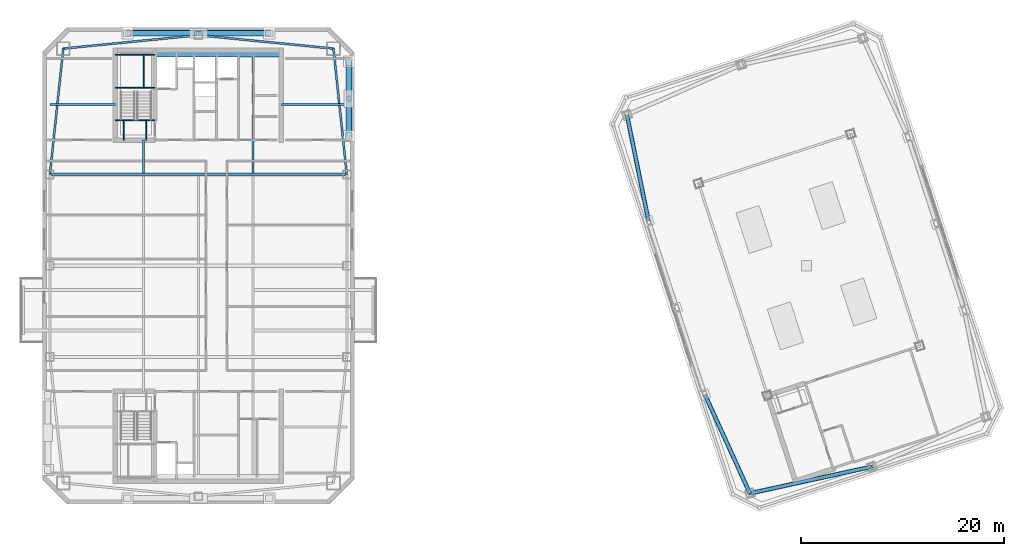
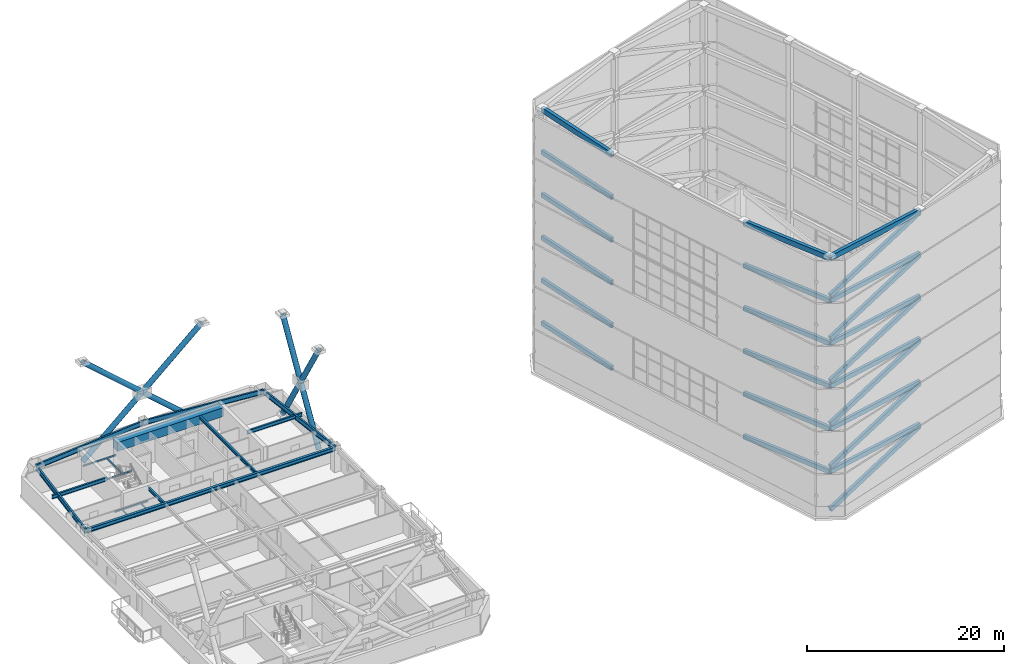
# One storey, part 13 of 56: 34 beams, 14 members.
"""IFC4 building model written with IfcOpenShell, lengths in metres."""

from ifc_helpers import new_model, si_unit, direction, frame, origin, origin_2d, place, context, subcontext, project, spatial, rectangle, hollow_rectangle, hollow_circle, i_section, extrude, material, material_profile, profile_set, type_object, element, save


model = new_model("IFC4")

# Units and contexts
model_context = context("Model", 3, precision=1e-05, world=origin(), true_north=direction((0.0, 1.0)))
body_context = subcontext(model_context, "Body", "Model", "MODEL_VIEW")
ifc_project = project(units=[si_unit("LENGTHUNIT", "METRE"), si_unit("AREAUNIT", "SQUARE_METRE"), si_unit("VOLUMEUNIT", "CUBIC_METRE"), si_unit("PLANEANGLEUNIT", "RADIAN"), si_unit("MASSUNIT", "GRAM", prefix="KILO")], contexts=[model_context])

# Site, building, storey
site_placement = place(None, origin())
site = spatial("IfcSite", under=ifc_project, at=site_placement, CompositionType="ELEMENT")
building_placement = place(site_placement, origin())
building = spatial("IfcBuilding", under=site, at=building_placement, Name="Qiaolan Cultural Towers", CompositionType="ELEMENT")
storey_placement = place(building_placement, frame((0.0, 0.0, 250.39990234375)))
storey = spatial("IfcBuildingStorey", under=building, at=storey_placement, Name="L68", CompositionType="ELEMENT", Elevation=250.39990234375)

# Beams
ifc_material_1 = material(Name="Steel Q355B", Category="steel")
ifc_material_profile_1 = material_profile(ifc_material_1, hollow_rectangle(XDim=0.39990234375, YDim=0.64990234375, WallThickness=0.02001953125, at=origin_2d()), Name="BOX650x400x20")
ifc_profile_set_1 = profile_set([ifc_material_profile_1], Name="Steel Q355B")
beam_type_1 = type_object("IfcBeamType", Name="BM-CROWN-FRAME-1", PredefinedType="BEAM", material=ifc_profile_set_1)
beam_1_placement = place(storey_placement, frame((79.989501953125, 21.2841796875, 31.47509765625), z_axis=(0.414500208282, -0.910049216985, 0.0), x_axis=(0.910049216985, 0.414500208282, 0.0)))
element("IfcBeam", 1, at=beam_1_placement, inside=storey, type_object=beam_type_1, Name="T2 Crown Frame Top Cap Ring Beam T6-1", PredefinedType="BEAM", context=body_context, shape_type="SweptSolid", body=[
    extrude(hollow_rectangle(XDim=0.39990234375, YDim=0.64990234375, WallThickness=0.02001953125, at=origin_2d()), origin(), (0.0, 0.0, 1.0), 10.70849609375),
])
beam_2_placement = place(storey_placement, frame((84.42822265625, 11.538818359375, 31.47509765625), z_axis=(0.976843395078, 0.213955559619, 0.0), x_axis=(-0.213955559619, 0.976843395078, 0.0)))
element("IfcBeam", 2, at=beam_2_placement, inside=storey, type_object=beam_type_1, Name="T2 Crown Frame Top Cap Ring Beam T6-2", PredefinedType="BEAM", context=body_context, shape_type="SweptSolid", body=[
    extrude(hollow_rectangle(XDim=0.39990234375, YDim=0.64990234375, WallThickness=0.02001953125, at=origin_2d()), origin(), (0.0, 0.0, 1.0), 12.2998046875),
])
beam_3_placement = place(storey_placement, frame((72.2900390625, 48.896484375, 31.47509765625), z_axis=(0.199578538116, -0.979881833245, 0.0), x_axis=(0.979881833245, 0.199578538116, 0.0)))
element("IfcBeam", 3, at=beam_3_placement, inside=storey, type_object=beam_type_1, Name="T2 Crown Frame Top Cap Ring Beam T6-10", PredefinedType="BEAM", context=body_context, shape_type="SweptSolid", body=[
    extrude(hollow_rectangle(XDim=0.39990234375, YDim=0.64990234375, WallThickness=0.02001953125, at=origin_2d()), origin(), (0.0, 0.0, 1.0), 10.70849609375),
])
ifc_material_2 = material(Name="Steel Q355B", Category="steel")
ifc_material_profile_2 = material_profile(ifc_material_2, hollow_rectangle(XDim=0.35009765625, YDim=0.550048828125, WallThickness=0.01806640625, at=origin_2d()), Name="BOX550x350x18")
ifc_profile_set_2 = profile_set([ifc_material_profile_2], Name="Steel Q355B")
beam_type_2 = type_object("IfcBeamType", Name="BM-CROWN-FRAME-2", PredefinedType="BEAM", material=ifc_profile_set_2)
beam_4_placement = place(storey_placement, frame((79.989501953125, 21.2841796875, 4.97509765625), z_axis=(0.414500208282, -0.910049216985, 0.0), x_axis=(0.910049216985, 0.414500208282, 0.0)))
element("IfcBeam", 4, at=beam_4_placement, inside=storey, type_object=beam_type_2, Name="T2 Crown Frame Ring Beam T1-1", PredefinedType="BEAM", context=body_context, shape_type="SweptSolid", body=[
    extrude(hollow_rectangle(XDim=0.35009765625, YDim=0.550048828125, WallThickness=0.01806640625, at=origin_2d()), origin(), (0.0, 0.0, 1.0), 10.70849609375),
])
beam_5_placement = place(storey_placement, frame((84.42822265625, 11.538818359375, 4.97509765625), z_axis=(0.976843395078, 0.213955559619, 0.0), x_axis=(-0.213955559619, 0.976843395078, 0.0)))
element("IfcBeam", 5, at=beam_5_placement, inside=storey, type_object=beam_type_2, Name="T2 Crown Frame Ring Beam T1-2", PredefinedType="BEAM", context=body_context, shape_type="SweptSolid", body=[
    extrude(hollow_rectangle(XDim=0.35009765625, YDim=0.550048828125, WallThickness=0.01806640625, at=origin_2d()), origin(), (0.0, 0.0, 1.0), 12.2998046875),
])
for number, where, z_axis, x_axis, name in (
    (6, (72.2900390625, 48.896484375, 4.97509765625), (0.199578538116, -0.979881833245, 0.0), (0.979881833245, 0.199578538116, 0.0), "T2 Crown Frame Ring Beam T1-10"),
    (7, (79.989501953125, 21.2841796875, 10.275146484375), (0.414500208282, -0.910049216985, 0.0), (0.910049216985, 0.414500208282, 0.0), "T2 Crown Frame Ring Beam T2-1"),
):
    element("IfcBeam", number, at=place(storey_placement, frame(where, z_axis=z_axis, x_axis=x_axis)), inside=storey, type_object=beam_type_2, Name=name, PredefinedType="BEAM", context=body_context, shape_type="SweptSolid", body=[
        extrude(hollow_rectangle(XDim=0.35009765625, YDim=0.550048828125, WallThickness=0.01806640625, at=origin_2d()), origin(), (0.0, 0.0, 1.0), 10.70849609375),
    ])
beam_6_placement = place(storey_placement, frame((84.42822265625, 11.538818359375, 10.275146484375), z_axis=(0.976843395078, 0.213955559619, 0.0), x_axis=(-0.213955559619, 0.976843395078, 0.0)))
element("IfcBeam", 8, at=beam_6_placement, inside=storey, type_object=beam_type_2, Name="T2 Crown Frame Ring Beam T2-2", PredefinedType="BEAM", context=body_context, shape_type="SweptSolid", body=[
    extrude(hollow_rectangle(XDim=0.35009765625, YDim=0.550048828125, WallThickness=0.01806640625, at=origin_2d()), origin(), (0.0, 0.0, 1.0), 12.2998046875),
])
for number, where, z_axis, x_axis, name in (
    (9, (72.2900390625, 48.896484375, 10.275146484375), (0.199578538116, -0.979881833245, 0.0), (0.979881833245, 0.199578538116, 0.0), "T2 Crown Frame Ring Beam T2-10"),
    (10, (79.989501953125, 21.2841796875, 15.5751953125), (0.414500208282, -0.910049216985, 0.0), (0.910049216985, 0.414500208282, 0.0), "T2 Crown Frame Ring Beam T3-1"),
):
    element("IfcBeam", number, at=place(storey_placement, frame(where, z_axis=z_axis, x_axis=x_axis)), inside=storey, type_object=beam_type_2, Name=name, PredefinedType="BEAM", context=body_context, shape_type="SweptSolid", body=[
        extrude(hollow_rectangle(XDim=0.35009765625, YDim=0.550048828125, WallThickness=0.01806640625, at=origin_2d()), origin(), (0.0, 0.0, 1.0), 10.70849609375),
    ])
beam_7_placement = place(storey_placement, frame((84.42822265625, 11.538818359375, 15.5751953125), z_axis=(0.976843395078, 0.213955559619, 0.0), x_axis=(-0.213955559619, 0.976843395078, 0.0)))
element("IfcBeam", 11, at=beam_7_placement, inside=storey, type_object=beam_type_2, Name="T2 Crown Frame Ring Beam T3-2", PredefinedType="BEAM", context=body_context, shape_type="SweptSolid", body=[
    extrude(hollow_rectangle(XDim=0.35009765625, YDim=0.550048828125, WallThickness=0.01806640625, at=origin_2d()), origin(), (0.0, 0.0, 1.0), 12.2998046875),
])
for number, where, z_axis, x_axis, name in (
    (12, (72.2900390625, 48.896484375, 15.5751953125), (0.199578538116, -0.979881833245, 0.0), (0.979881833245, 0.199578538116, 0.0), "T2 Crown Frame Ring Beam T3-10"),
    (13, (79.989501953125, 21.2841796875, 20.875), (0.414500208282, -0.910049216985, 0.0), (0.910049216985, 0.414500208282, 0.0), "T2 Crown Frame Ring Beam T4-1"),
):
    element("IfcBeam", number, at=place(storey_placement, frame(where, z_axis=z_axis, x_axis=x_axis)), inside=storey, type_object=beam_type_2, Name=name, PredefinedType="BEAM", context=body_context, shape_type="SweptSolid", body=[
        extrude(hollow_rectangle(XDim=0.35009765625, YDim=0.550048828125, WallThickness=0.01806640625, at=origin_2d()), origin(), (0.0, 0.0, 1.0), 10.70849609375),
    ])
beam_8_placement = place(storey_placement, frame((84.42822265625, 11.538818359375, 20.875), z_axis=(0.976843395078, 0.213955559619, 0.0), x_axis=(-0.213955559619, 0.976843395078, 0.0)))
element("IfcBeam", 14, at=beam_8_placement, inside=storey, type_object=beam_type_2, Name="T2 Crown Frame Ring Beam T4-2", PredefinedType="BEAM", context=body_context, shape_type="SweptSolid", body=[
    extrude(hollow_rectangle(XDim=0.35009765625, YDim=0.550048828125, WallThickness=0.01806640625, at=origin_2d()), origin(), (0.0, 0.0, 1.0), 12.2998046875),
])
for number, where, z_axis, x_axis, name in (
    (15, (72.2900390625, 48.896484375, 20.875), (0.199578538116, -0.979881833245, 0.0), (0.979881833245, 0.199578538116, 0.0), "T2 Crown Frame Ring Beam T4-10"),
    (16, (79.989501953125, 21.2841796875, 26.175048828125), (0.414500208282, -0.910049216985, 0.0), (0.910049216985, 0.414500208282, 0.0), "T2 Crown Frame Ring Beam T5-1"),
):
    element("IfcBeam", number, at=place(storey_placement, frame(where, z_axis=z_axis, x_axis=x_axis)), inside=storey, type_object=beam_type_2, Name=name, PredefinedType="BEAM", context=body_context, shape_type="SweptSolid", body=[
        extrude(hollow_rectangle(XDim=0.35009765625, YDim=0.550048828125, WallThickness=0.01806640625, at=origin_2d()), origin(), (0.0, 0.0, 1.0), 10.70849609375),
    ])
beam_9_placement = place(storey_placement, frame((84.42822265625, 11.538818359375, 26.175048828125), z_axis=(0.976843395078, 0.213955559619, 0.0), x_axis=(-0.213955559619, 0.976843395078, 0.0)))
element("IfcBeam", 17, at=beam_9_placement, inside=storey, type_object=beam_type_2, Name="T2 Crown Frame Ring Beam T5-2", PredefinedType="BEAM", context=body_context, shape_type="SweptSolid", body=[
    extrude(hollow_rectangle(XDim=0.35009765625, YDim=0.550048828125, WallThickness=0.01806640625, at=origin_2d()), origin(), (0.0, 0.0, 1.0), 12.2998046875),
])
beam_10_placement = place(storey_placement, frame((72.2900390625, 48.896484375, 26.175048828125), z_axis=(0.199578538116, -0.979881833245, 0.0), x_axis=(0.979881833245, 0.199578538116, 0.0)))
element("IfcBeam", 18, at=beam_10_placement, inside=storey, type_object=beam_type_2, Name="T2 Crown Frame Ring Beam T5-10", PredefinedType="BEAM", context=body_context, shape_type="SweptSolid", body=[
    extrude(hollow_rectangle(XDim=0.35009765625, YDim=0.550048828125, WallThickness=0.01806640625, at=origin_2d()), origin(), (0.0, 0.0, 1.0), 10.70849609375),
])
ifc_material_3 = material(Name="Steel Q355B", Category="steel")
ifc_material_profile_3 = material_profile(ifc_material_3, i_section(OverallWidth=0.300048828125, OverallDepth=0.488037109375, WebThickness=0.010986328125, FlangeThickness=0.01806640625, at=origin_2d()), Name="HM488x300x11x18")
ifc_profile_set_3 = profile_set([ifc_material_profile_3], Name="Steel Q355B")
beam_type_3 = type_object("IfcBeamType", Name="BM-HM488x300x11x18", PredefinedType="BEAM", material=ifc_profile_set_3)
beam_11_placement = place(storey_placement, frame((15.35009765625, 43.0, 2.696044921875), z_axis=(1.0, 0.0, 0.0), x_axis=(0.0, 1.0, 0.0)))
element("IfcBeam", 19, at=beam_11_placement, inside=storey, type_object=beam_type_3, Name="L68 T1 Primary Transverse Girder V3", PredefinedType="BEAM", context=body_context, shape_type="SweptSolid", body=[
    extrude(i_section(OverallWidth=0.300048828125, OverallDepth=0.488037109375, WebThickness=0.010986328125, FlangeThickness=0.01806640625, at=origin_2d()), origin(), (0.0, 0.0, 1.0), 29.2998046875),
])
ifc_material_4 = material(Name="Steel Q355B", Category="steel")
ifc_material_profile_4 = material_profile(ifc_material_4, i_section(OverallWidth=0.199951171875, OverallDepth=0.39990234375, WebThickness=0.008056640625, FlangeThickness=0.012939453125, at=origin_2d()), Name="HN400x200x8x13")
ifc_profile_set_4 = profile_set([ifc_material_profile_4], Name="Steel Q355B")
beam_type_4 = type_object("IfcBeamType", Name="BM-JST-HN400x200x8x13", PredefinedType="JOIST", material=ifc_profile_set_4)
beam_12_placement = place(storey_placement, frame((24.60009765625, 43.14990234375, 2.739990234375), z_axis=(0.0, 1.0, 0.0), x_axis=(-1.0, 0.0, 0.0)))
element("IfcBeam", 20, at=beam_12_placement, inside=storey, type_object=beam_type_4, Name="L68 T1 Secondary Floor Joist U1-4", PredefinedType="JOIST", context=body_context, shape_type="SweptSolid", body=[
    extrude(i_section(OverallWidth=0.199951171875, OverallDepth=0.39990234375, WebThickness=0.008056640625, FlangeThickness=0.012939453125, at=origin_2d()), origin(), (0.0, 0.0, 1.0), 3.25),
])
beam_13_placement = place(storey_placement, frame((35.39990234375, 43.14990234375, 2.739990234375), z_axis=(0.0, 1.0, 0.0), x_axis=(-1.0, 0.0, 0.0)))
element("IfcBeam", 21, at=beam_13_placement, inside=storey, type_object=beam_type_4, Name="L68 T1 Secondary Floor Joist U3-4", PredefinedType="JOIST", context=body_context, shape_type="SweptSolid", body=[
    extrude(i_section(OverallWidth=0.199951171875, OverallDepth=0.39990234375, WebThickness=0.008056640625, FlangeThickness=0.012939453125, at=origin_2d()), origin(), (0.0, 0.0, 1.0), 11.4501953125),
])
ifc_material_5 = material(Name="Steel Q355B", Category="steel")
ifc_material_profile_5 = material_profile(ifc_material_5, i_section(OverallWidth=0.199951171875, OverallDepth=0.449951171875, WebThickness=0.009033203125, FlangeThickness=0.013916015625, at=origin_2d()), Name="HN450x200x9x14")
ifc_profile_set_5 = profile_set([ifc_material_profile_5], Name="Steel Q355B")
beam_type_5 = type_object("IfcBeamType", Name="BM-LNT-HN450x200x9x14", PredefinedType="LINTEL", material=ifc_profile_set_5)
for number, where, z_axis, x_axis, name in (
    (22, (21.800048828125, 49.89990234375, 2.715087890625), (-1.0, 0.0, 0.0), (0.0, -1.0, 0.0), "L68 T1 Core Flank Tie Lintel WN"),
    (23, (38.199951171875, 49.89990234375, 2.715087890625), (1.0, 0.0, 0.0), (0.0, 1.0, 0.0), "L68 T1 Core Flank Tie Lintel EN"),
):
    element("IfcBeam", number, at=place(storey_placement, frame(where, z_axis=z_axis, x_axis=x_axis)), inside=storey, type_object=beam_type_5, Name=name, PredefinedType="LINTEL", context=body_context, shape_type="SweptSolid", body=[
        extrude(i_section(OverallWidth=0.199951171875, OverallDepth=0.449951171875, WebThickness=0.009033203125, FlangeThickness=0.013916015625, at=origin_2d()), origin(), (0.0, 0.0, 1.0), 6.449951171875),
    ])
ifc_material_6 = material(Name="Concrete C50", Category="concrete")
ifc_material_profile_6 = material_profile(ifc_material_6, rectangle(XDim=0.89990234375, YDim=1.10009765625, at=origin_2d()), Name="RC900x1100")
ifc_profile_set_6 = profile_set([ifc_material_profile_6], Name="Concrete C50")
beam_type_6 = type_object("IfcBeamType", Name="BM-RC900x1100", PredefinedType="BEAM", material=ifc_profile_set_6)
beam_14_placement = place(storey_placement, frame((25.719970703125, 55.050048828125, 2.39013671875), z_axis=(1.0, 0.0, 0.0), x_axis=(0.0, 1.0, 0.0)))
element("IfcBeam", 24, at=beam_14_placement, inside=storey, type_object=beam_type_6, Name="L68 T1 Core Header Girder N", PredefinedType="BEAM", context=body_context, shape_type="SweptSolid", body=[
    extrude(rectangle(XDim=0.89990234375, YDim=1.10009765625, at=origin_2d()), origin(), (0.0, 0.0, 1.0), 12.47998046875),
])
ifc_material_7 = material(Name="Steel Q355B", Category="steel")
ifc_material_profile_7 = material_profile(ifc_material_7, i_section(OverallWidth=0.199951171875, OverallDepth=0.60009765625, WebThickness=0.010986328125, FlangeThickness=0.01708984375, at=origin_2d()), Name="HN600x200x11x17")
ifc_profile_set_7 = profile_set([ifc_material_profile_7], Name="Steel Q355B")
beam_type_7 = type_object("IfcBeamType", Name="BM-SPD-HN600x200x11x17", PredefinedType="SPANDREL", material=ifc_profile_set_7)
beam_15_placement = place(storey_placement, frame((44.64990234375, 43.0, 2.64013671875), z_axis=(-0.105587580773, 0.994410007384, 0.0), x_axis=(-0.994410007384, -0.105587580773, 0.0)))
element("IfcBeam", 25, at=beam_15_placement, inside=storey, type_object=beam_type_7, Name="L68 T1 Perimeter Spandrel Beam 6", PredefinedType="SPANDREL", context=body_context, shape_type="SweptSolid", body=[
    extrude(i_section(OverallWidth=0.199951171875, OverallDepth=0.60009765625, WebThickness=0.010986328125, FlangeThickness=0.01708984375, at=origin_2d()), origin(), (0.0, 0.0, 1.0), 12.499755859375),
])
for number, where, z_axis, x_axis, name in (
    (26, (43.330078125, 55.429931640625, 2.64013671875), (-0.995132371263, 0.098547266143, 0.0), (-0.098547266143, -0.995132371263, 0.0), "L68 T1 Perimeter Spandrel Beam 7"),
    (27, (30.0, 56.75, 2.64013671875), (-0.995132371263, -0.098547266143, 0.0), (0.098547266143, -0.995132371263, 0.0), "L68 T1 Perimeter Spandrel Beam 8"),
):
    element("IfcBeam", number, at=place(storey_placement, frame(where, z_axis=z_axis, x_axis=x_axis)), inside=storey, type_object=beam_type_7, Name=name, PredefinedType="SPANDREL", context=body_context, shape_type="SweptSolid", body=[
        extrude(i_section(OverallWidth=0.199951171875, OverallDepth=0.60009765625, WebThickness=0.010986328125, FlangeThickness=0.01708984375, at=origin_2d()), origin(), (0.0, 0.0, 1.0), 13.395263671875),
    ])
beam_16_placement = place(storey_placement, frame((16.669921875, 55.429931640625, 2.64013671875), z_axis=(-0.105587580773, -0.994410007384, 0.0), x_axis=(0.994410007384, -0.105587580773, 0.0)))
element("IfcBeam", 28, at=beam_16_placement, inside=storey, type_object=beam_type_7, Name="L68 T1 Perimeter Spandrel Beam 9", PredefinedType="SPANDREL", context=body_context, shape_type="SweptSolid", body=[
    extrude(i_section(OverallWidth=0.199951171875, OverallDepth=0.60009765625, WebThickness=0.010986328125, FlangeThickness=0.01708984375, at=origin_2d()), origin(), (0.0, 0.0, 1.0), 12.499755859375),
])
ifc_material_8 = material(Name="Steel Q355B", Category="steel")
ifc_material_profile_8 = material_profile(ifc_material_8, i_section(OverallWidth=0.10009765625, OverallDepth=0.199951171875, WebThickness=0.005615234375, FlangeThickness=0.008056640625, at=origin_2d()), Name="HN200x100x5.5x8")
ifc_profile_set_8 = profile_set([ifc_material_profile_8], Name="Steel Q355B")
beam_type_8 = type_object("IfcBeamType", Name="BM-STTRIM-200", PredefinedType="BEAM", material=ifc_profile_set_8)
beam_17_placement = place(storey_placement, frame((21.800048828125, 48.340087890625, -0.4599609375), z_axis=(1.0, 0.0, 0.0), x_axis=(0.0, 1.0, 0.0)))
element("IfcBeam", 29, at=beam_17_placement, inside=storey, type_object=beam_type_8, Name="L68 ST-W2 Floor Landing Header Beam", PredefinedType="BEAM", context=body_context, shape_type="SweptSolid", body=[
    extrude(i_section(OverallWidth=0.10009765625, OverallDepth=0.199951171875, WebThickness=0.005615234375, FlangeThickness=0.008056640625, at=origin_2d()), origin(), (0.0, 0.0, 1.0), 3.919921875),
])
for number, where, z_axis, x_axis, name in (
    (30, (22.64990234375, 46.39990234375, -0.4599609375), (0.0, 1.0, 0.0), (-1.0, 0.0, 0.0), "L68 ST-W2 Floor Landing Stringer 1"),
    (31, (24.85009765625, 46.39990234375, -0.4599609375), (0.0, 1.0, 0.0), (-1.0, 0.0, 0.0), "L68 ST-W2 Floor Landing Stringer 2"),
):
    element("IfcBeam", number, at=place(storey_placement, frame(where, z_axis=z_axis, x_axis=x_axis)), inside=storey, type_object=beam_type_8, Name=name, PredefinedType="BEAM", context=body_context, shape_type="SweptSolid", body=[
        extrude(i_section(OverallWidth=0.10009765625, OverallDepth=0.199951171875, WebThickness=0.005615234375, FlangeThickness=0.008056640625, at=origin_2d()), origin(), (0.0, 0.0, 1.0), 1.940185546875),
    ])
for number, where, z_axis, x_axis, name in (
    (32, (21.800048828125, 51.588623046875, 1.300048828125), (1.0, 0.0, 0.0), (0.0, 1.0, 0.0), "L68 ST-W2 Stair Landing Support Beam 1-1"),
    (33, (21.800048828125, 54.820068359375, 1.300048828125), (1.0, 0.0, 0.0), (0.0, 1.0, 0.0), "L68 ST-W2 Stair Landing Support Beam 1-2"),
):
    element("IfcBeam", number, at=place(storey_placement, frame(where, z_axis=z_axis, x_axis=x_axis)), inside=storey, type_object=beam_type_8, Name=name, PredefinedType="BEAM", context=body_context, shape_type="SweptSolid", body=[
        extrude(i_section(OverallWidth=0.10009765625, OverallDepth=0.199951171875, WebThickness=0.005615234375, FlangeThickness=0.008056640625, at=origin_2d()), origin(), (0.0, 0.0, 1.0), 3.919921875),
    ])
beam_18_placement = place(storey_placement, frame((24.610107421875, 51.588623046875, 1.300048828125), z_axis=(0.0, 1.0, 0.0), x_axis=(-1.0, 0.0, 0.0)))
element("IfcBeam", 34, at=beam_18_placement, inside=storey, type_object=beam_type_8, Name="L68 ST-W2 Stair Landing Trimmer 1", PredefinedType="BEAM", context=body_context, shape_type="SweptSolid", body=[
    extrude(i_section(OverallWidth=0.10009765625, OverallDepth=0.199951171875, WebThickness=0.005615234375, FlangeThickness=0.008056640625, at=origin_2d()), origin(), (0.0, 0.0, 1.0), 3.2314453125),
])

# Members
ifc_material_9 = material(Name="Steel Q355B", Category="steel")
ifc_material_profile_9 = material_profile(ifc_material_9, hollow_circle(Radius=0.300048828125, WallThickness=0.030029296875, at=origin_2d()), Name="CHS600x30")
ifc_profile_set_9 = profile_set([ifc_material_profile_9], Name="Steel Q355B")
member_type_1 = type_object("IfcMemberType", Name="MBR-BRC-CHS600x30", PredefinedType="BRACE", material=ifc_profile_set_9)
member_1_placement = place(storey_placement, frame((44.85009765625, 46.800048828125, 0.150146484375), z_axis=(0.0, 0.511424725954, 0.859328080353), x_axis=(-1.0, 0.0, 0.0)))
element("IfcMember", 35, at=member_1_placement, inside=storey, type_object=member_type_1, Name="T1 EAST Perimeter Frame Diagonal W-Z4-M3-D1A", PredefinedType="BRACE", context=body_context, shape_type="SweptSolid", body=[
    extrude(hollow_circle(Radius=0.300048828125, WallThickness=0.030029296875, at=origin_2d()), origin(), (0.0, 0.0, 1.0), 7.185791015625),
])
member_2_placement = place(storey_placement, frame((44.85009765625, 50.47509765625, 6.3251953125), z_axis=(0.0, 0.511414568192, 0.859334125612), x_axis=(-1.0, 0.0, 0.0)))
element("IfcMember", 36, at=member_2_placement, inside=storey, type_object=member_type_1, Name="T1 EAST Perimeter Frame Diagonal W-Z4-M3-D1B", PredefinedType="BRACE", context=body_context, shape_type="SweptSolid", body=[
    extrude(hollow_circle(Radius=0.300048828125, WallThickness=0.030029296875, at=origin_2d()), origin(), (0.0, 0.0, 1.0), 7.185546875),
])
for number, where, z_axis, x_axis, name in (
    (37, (44.85009765625, 54.14990234375, 0.150146484375), (0.0, -0.511399636686, 0.859343011607), (1.0, 0.0, 0.0), "T1 EAST Perimeter Frame Diagonal W-Z4-M3-D2A"),
    (38, (44.85009765625, 50.47509765625, 6.3251953125), (0.0, -0.511439657673, 0.859319193641), (1.0, 0.0, 0.0), "T1 EAST Perimeter Frame Diagonal W-Z4-M3-D2B"),
):
    element("IfcMember", number, at=place(storey_placement, frame(where, z_axis=z_axis, x_axis=x_axis)), inside=storey, type_object=member_type_1, Name=name, PredefinedType="BRACE", context=body_context, shape_type="SweptSolid", body=[
        extrude(hollow_circle(Radius=0.300048828125, WallThickness=0.030029296875, at=origin_2d()), origin(), (0.0, 0.0, 1.0), 7.185791015625),
    ])
member_3_placement = place(storey_placement, frame((23.0, 56.949951171875, 0.150146484375), z_axis=(0.749913414741, 0.0, 0.66153599327), x_axis=(0.0, 1.0, 0.0)))
element("IfcMember", 39, at=member_3_placement, inside=storey, type_object=member_type_1, Name="T1 NORTH Perimeter Frame Diagonal W-Z4-M3-D1A", PredefinedType="BRACE", context=body_context, shape_type="SweptSolid", body=[
    extrude(hollow_circle(Radius=0.300048828125, WallThickness=0.030029296875, at=origin_2d()), origin(), (0.0, 0.0, 1.0), 9.33447265625),
])
member_4_placement = place(storey_placement, frame((30.0, 56.949951171875, 6.3251953125), z_axis=(0.749926390131, 0.0, 0.661521284151), x_axis=(0.0, 1.0, 0.0)))
element("IfcMember", 40, at=member_4_placement, inside=storey, type_object=member_type_1, Name="T1 NORTH Perimeter Frame Diagonal W-Z4-M3-D1B", PredefinedType="BRACE", context=body_context, shape_type="SweptSolid", body=[
    extrude(hollow_circle(Radius=0.300048828125, WallThickness=0.030029296875, at=origin_2d()), origin(), (0.0, 0.0, 1.0), 9.334228515625),
])
member_5_placement = place(storey_placement, frame((37.0, 56.949951171875, 0.150146484375), z_axis=(-0.749913414741, 0.0, 0.66153599327), x_axis=(0.0, -1.0, 0.0)))
element("IfcMember", 41, at=member_5_placement, inside=storey, type_object=member_type_1, Name="T1 NORTH Perimeter Frame Diagonal W-Z4-M3-D2A", PredefinedType="BRACE", context=body_context, shape_type="SweptSolid", body=[
    extrude(hollow_circle(Radius=0.300048828125, WallThickness=0.030029296875, at=origin_2d()), origin(), (0.0, 0.0, 1.0), 9.33447265625),
])
member_6_placement = place(storey_placement, frame((30.0, 56.949951171875, 6.3251953125), z_axis=(-0.749926390131, 0.0, 0.661521284151), x_axis=(0.0, -1.0, 0.0)))
element("IfcMember", 42, at=member_6_placement, inside=storey, type_object=member_type_1, Name="T1 NORTH Perimeter Frame Diagonal W-Z4-M3-D2B", PredefinedType="BRACE", context=body_context, shape_type="SweptSolid", body=[
    extrude(hollow_circle(Radius=0.300048828125, WallThickness=0.030029296875, at=origin_2d()), origin(), (0.0, 0.0, 1.0), 9.334228515625),
])
ifc_material_10 = material(Name="Steel Q355B", Category="steel")
ifc_material_profile_10 = material_profile(ifc_material_10, hollow_rectangle(XDim=0.35009765625, YDim=0.550048828125, WallThickness=0.01806640625, at=origin_2d()), Name="BOX550x350x18")
ifc_profile_set_10 = profile_set([ifc_material_profile_10], Name="Steel Q355B")
member_type_2 = type_object("IfcMemberType", Name="MBR-CROWN-FRAME-12", PredefinedType="USERDEFINED", material=ifc_profile_set_10)
for number, where, z_axis, x_axis, name in (
    (43, (84.42822265625, 11.538818359375, 0.25), (0.915554046933, 0.200531507364, 0.348637206419), (-0.213955559619, 0.976843395078, 0.0), "T2 Crown Frame Wind Brace T1-2"),
    (44, (84.42822265625, 11.538818359375, 5.550048828125), (0.915559985128, 0.200532807992, 0.34862086362), (-0.213955559619, 0.976843395078, 0.0), "T2 Crown Frame Wind Brace T2-2"),
    (45, (84.42822265625, 11.538818359375, 10.85009765625), (0.915559985128, 0.200532807992, 0.34862086362), (-0.213955559619, 0.976843395078, 0.0), "T2 Crown Frame Wind Brace T3-2"),
    (46, (84.42822265625, 11.538818359375, 16.150146484375), (0.915559985128, 0.200532807992, 0.34862086362), (-0.213955559619, 0.976843395078, 0.0), "T2 Crown Frame Wind Brace T4-2"),
    (47, (84.42822265625, 11.538818359375, 21.4501953125), (0.915559985128, 0.200532807992, 0.34862086362), (-0.213955559619, 0.976843395078, 0.0), "T2 Crown Frame Wind Brace T5-2"),
    (48, (84.42822265625, 11.538818359375, 26.75), (0.915554046933, 0.200531507364, 0.348637206419), (-0.213955559619, 0.976843395078, 0.0), "T2 Crown Frame Wind Brace T6-2"),
):
    element("IfcMember", number, at=place(storey_placement, frame(where, z_axis=z_axis, x_axis=x_axis)), inside=storey, type_object=member_type_2, Name=name, ObjectType="CROWN FRAME", PredefinedType="USERDEFINED", context=body_context, shape_type="SweptSolid", body=[
        extrude(hollow_rectangle(XDim=0.35009765625, YDim=0.550048828125, WallThickness=0.01806640625, at=origin_2d()), origin(), (0.0, 0.0, 1.0), 13.123046875),
    ])

save(model, "model.ifc")
